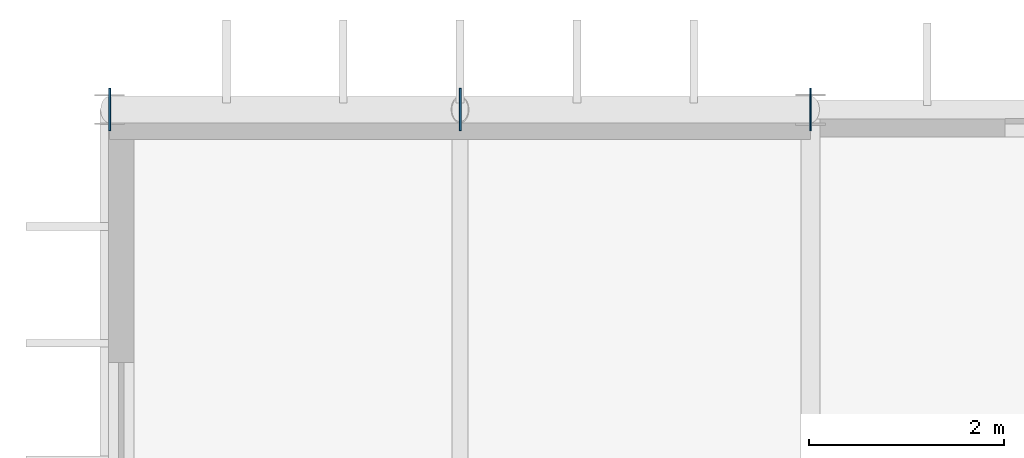
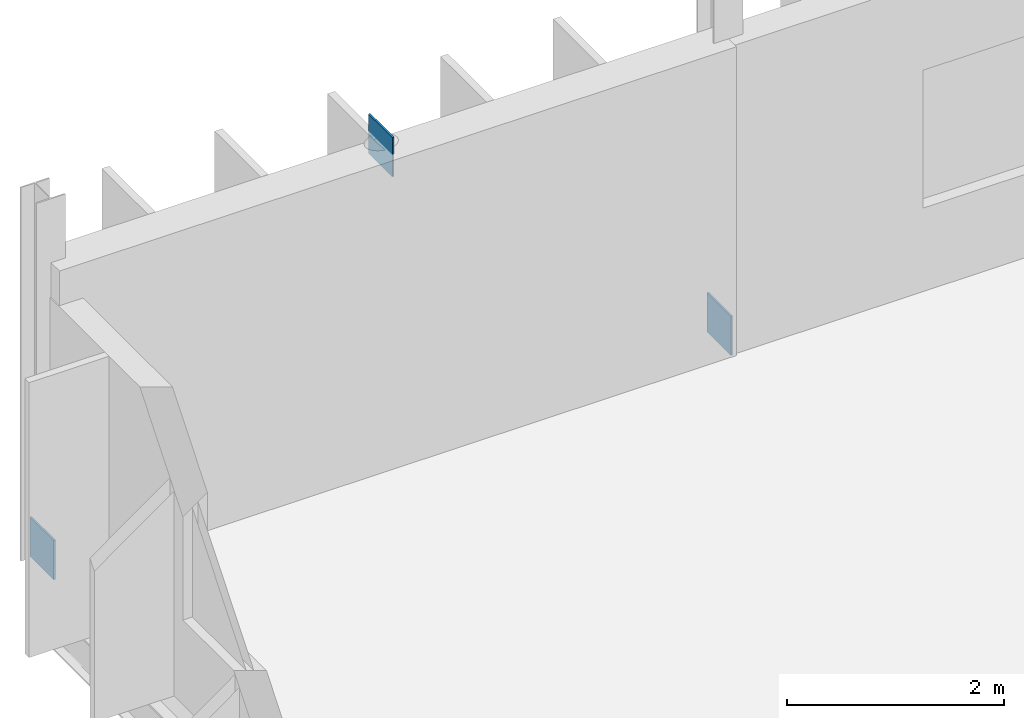
# One storey, part 73 of 99: 3 plates.
"""IFC4 building model written with IfcOpenShell, lengths in metres."""

from ifc_helpers import new_model, si_unit, direction, frame, origin, origin_2d, place, context, subcontext, project, spatial, rectangle, extrude, material, layer, layer_set, type_object, element, save


model = new_model("IFC4")

# Units and contexts
model_context = context("Model", 3, precision=1e-05, world=origin(), true_north=direction((0.0, 1.0)))
body_context = subcontext(model_context, "Body", "Model", "MODEL_VIEW")
ifc_project = project(units=[si_unit("LENGTHUNIT", "METRE"), si_unit("AREAUNIT", "SQUARE_METRE"), si_unit("VOLUMEUNIT", "CUBIC_METRE"), si_unit("PLANEANGLEUNIT", "RADIAN"), si_unit("MASSUNIT", "GRAM", prefix="KILO")], contexts=[model_context])

# Site, building, storey
site_placement = place(None, origin())
site = spatial("IfcSite", under=ifc_project, at=site_placement, CompositionType="ELEMENT")
building_placement = place(site_placement, origin())
building = spatial("IfcBuilding", under=site, at=building_placement, Name="Qelthora Terrace Specialist Clinic", CompositionType="ELEMENT")
storey_placement = place(building_placement, frame((0.0, 0.0, 9.0)))
storey = spatial("IfcBuildingStorey", under=building, at=storey_placement, Name="L02", CompositionType="ELEMENT", Elevation=9.0)

# Plates
ifc_material = material(Name="Steel S355", Category="steel")
ifc_layer = layer(ifc_material, 0.02001953125)
ifc_layer_set = layer_set([ifc_layer], Name="Steel S355")
plate_type = type_object("IfcPlateType", Name="PLT-GUS-480X480X20", PredefinedType="USERDEFINED", material=ifc_layer_set)
for number, where, z_axis, x_axis, name in (
    (1, (0.0, 109.199951171875, -0.0400390625), (0.0, 0.0, 1.0), (1.0, 0.0, 0.0), "Steel truss node plate GPLT-0155"),
    (2, (3.60009765625, 109.199951171875, 3.22998046875), (0.0, 0.0, 1.0), (1.0, 0.0, 0.0), "Steel truss node plate GPLT-0156"),
    (3, (7.199951171875, 109.199951171875, -0.0400390625), (0.0, 0.0, 1.0), (1.0, 0.0, 0.0), "Steel truss node plate GPLT-0157"),
):
    element("IfcPlate", number, at=place(storey_placement, frame(where, z_axis=z_axis, x_axis=x_axis)), inside=storey, type_object=plate_type, Name=name, ObjectType="GUSSET PLATE", PredefinedType="USERDEFINED", context=body_context, shape_type="SweptSolid", body=[
        extrude(rectangle(XDim=0.02001953125, YDim=0.43994140625, at=origin_2d()), origin(), (0.0, 0.0, 1.0), 0.43994140625),
    ])

save(model, "model.ifc")
